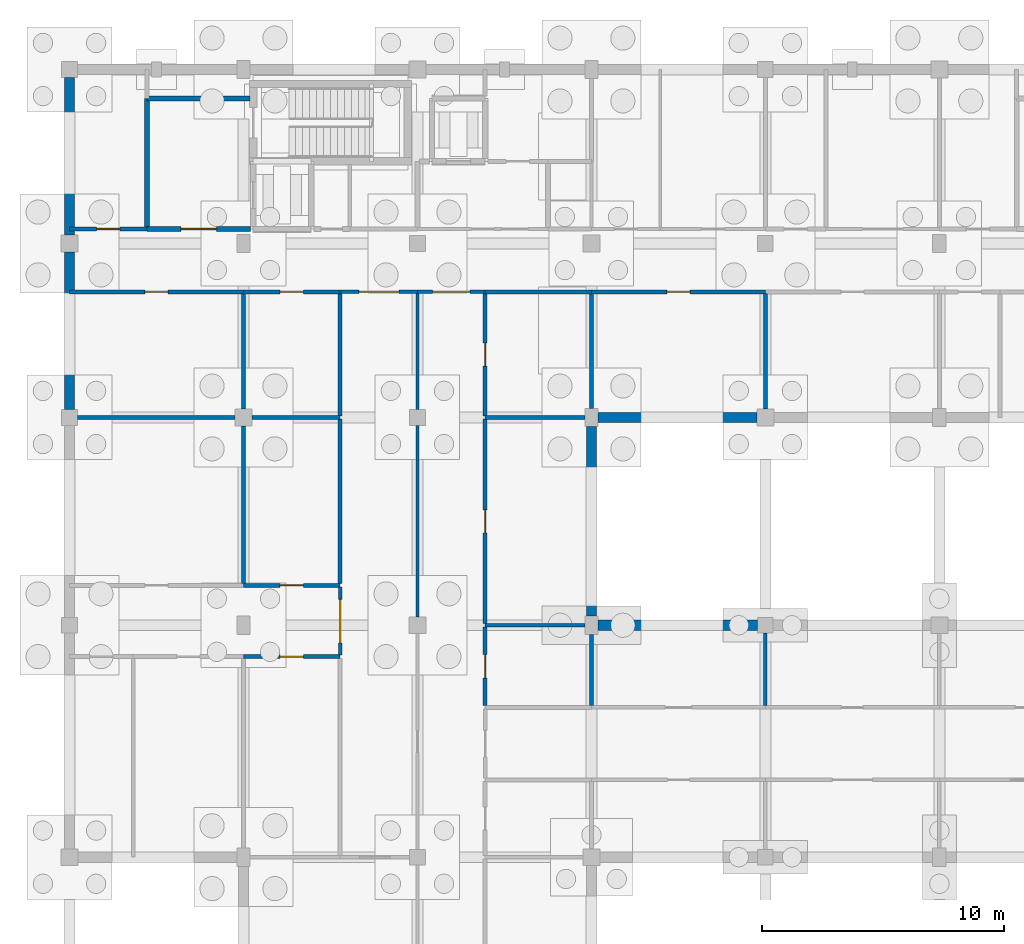
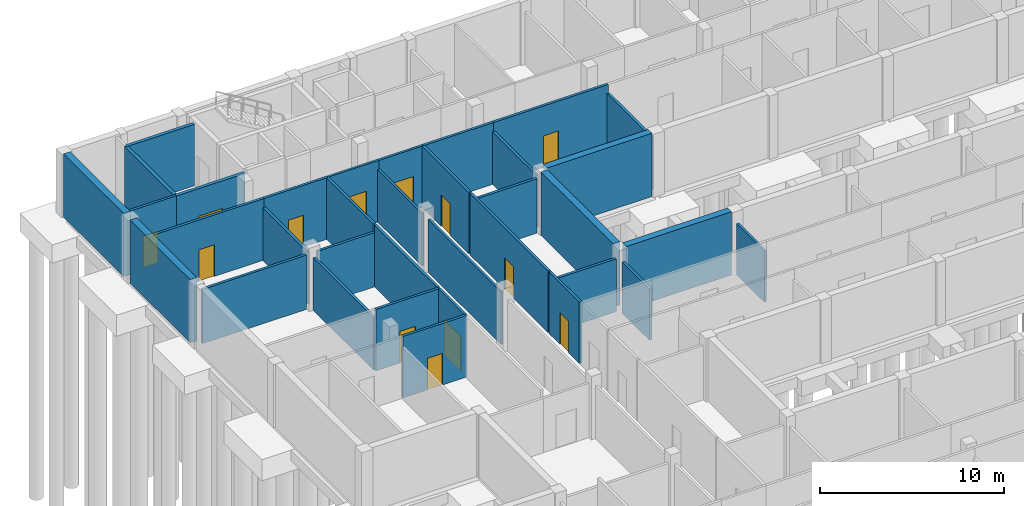
# One storey, part 11 of 17: 35 walls, 13 doors, 13 openings.
"""IFC4 building model written with IfcOpenShell, lengths in metres."""

import ifcopenshell
import ifcopenshell.guid

model = None  # the IFC model being written
_history = None  # IfcOwnerHistory: only IFC2X3 demands one
_inside = {}  # id of a spatial element -> (the spatial element, [elements in it])
_under = {}  # id of a project, library or spatial element -> (it, [spatial elements below it])
_declared = {}  # id of a project -> (the project, [libraries it declares])
_typed = {}  # id of a type object -> (the type object, [elements of that type])
_made_of = {}  # id of a material, layer set ... -> (it, [elements and type objects made of it])


def new_model(schema):
    """Start an empty IFC model of exactly this schema.

    Asked for "IFC4X3", IfcOpenShell would pick the latest addendum, in which some entities
    have other attributes; the version numbers below select the first issue.
    IFC2X3 requires an IfcOwnerHistory on every rooted entity: one is made here for all.
    """
    global model, _history
    if schema == "IFC4X3":
        model = ifcopenshell.file(schema_version=(4, 3, 0, 0))
    else:
        model = ifcopenshell.file(schema=schema)
    _inside.clear()
    _under.clear()
    _declared.clear()
    _typed.clear()
    _made_of.clear()
    _history = None
    if model.schema == "IFC2X3":
        org = make("IfcOrganization", Name="unknown")
        user = make(
            "IfcPersonAndOrganization",
            ThePerson=make("IfcPerson", FamilyName="unknown"),
            TheOrganization=org,
        )
        app = make(
            "IfcApplication",
            ApplicationDeveloper=org,
            Version="unknown",
            ApplicationFullName="unknown",
            ApplicationIdentifier="unknown",
        )
        _history = make(
            "IfcOwnerHistory",
            OwningUser=user,
            OwningApplication=app,
            ChangeAction="ADDED",
            CreationDate=0,
        )
    return model


def make(cls, **values):
    """One entity of the class cls with the attributes given. An attribute that is None is left unset."""
    return model.create_entity(
        cls, **{name: value for name, value in values.items() if value is not None}
    )


def rooted(cls, **values):
    """An entity with a GlobalId (a new one), such as an element, a storey or a relation."""
    return make(cls, GlobalId=ifcopenshell.guid.new(), OwnerHistory=_history, **values)


def si_unit(unit_type, name, prefix=None):
    """IfcSIUnit, for example si_unit("LENGTHUNIT", "METRE", prefix="MILLI")."""
    return make("IfcSIUnit", UnitType=unit_type, Prefix=prefix, Name=name)


def assignment(units):
    """IfcUnitAssignment: the units of a project."""
    return None if units is None else make("IfcUnitAssignment", Units=units)


def point(xyz):
    """IfcCartesianPoint."""
    return None if xyz is None else make("IfcCartesianPoint", Coordinates=xyz)


def direction(xyz):
    """IfcDirection."""
    return None if xyz is None else make("IfcDirection", DirectionRatios=xyz)


def frame(location, z_axis=None, x_axis=None):
    """IfcAxis2Placement3D, a coordinate frame: its origin and axes. An axis left out is left unset."""
    return make(
        "IfcAxis2Placement3D",
        Location=point(location),
        Axis=direction(z_axis),
        RefDirection=direction(x_axis),
    )


def frame_2d(location, x_axis=None):
    """IfcAxis2Placement2D, a coordinate frame in the plane: its origin and x axis."""
    return make(
        "IfcAxis2Placement2D", Location=point(location), RefDirection=direction(x_axis)
    )


def origin():
    """The frame at (0, 0, 0) with its axes left unset."""
    return frame((0.0, 0.0, 0.0))


def place(relative_to, where):
    """IfcLocalPlacement: puts the frame where relative to a parent placement (None: the world)."""
    return make(
        "IfcLocalPlacement", PlacementRelTo=relative_to, RelativePlacement=where
    )


def context(
    kind, dimensions, precision=None, world=None, true_north=None, identifier=None
):
    """IfcGeometricRepresentationContext, for example the 3D "Model" context."""
    return make(
        "IfcGeometricRepresentationContext",
        ContextIdentifier=identifier,
        ContextType=kind,
        CoordinateSpaceDimension=dimensions,
        Precision=precision,
        WorldCoordinateSystem=world,
        TrueNorth=true_north,
    )


def subcontext(parent, identifier, kind, view, scale=None):
    """IfcGeometricRepresentationSubContext, for example "Body" below "Model"."""
    return make(
        "IfcGeometricRepresentationSubContext",
        ContextIdentifier=identifier,
        ContextType=kind,
        ParentContext=parent,
        TargetScale=scale,
        TargetView=view,
    )


def project(units=None, contexts=None):
    """IfcProject with its units and contexts."""
    return rooted(
        "IfcProject",
        Name="project",
        RepresentationContexts=contexts,
        UnitsInContext=assignment(units),
    )


def spatial(cls, under=None, at=None, **own):
    """A site, building, storey or space (cls), placed at a placement, below another one or the project."""
    s = rooted(cls, ObjectPlacement=at, **own)
    if under is not None:
        _under.setdefault(under.id(), (under, []))[1].append(s)
    return s


def profile(cls, at=None, kind="AREA", **sizes):
    """A parametric profile (cls). Its sizes go by their IFC names, for example OverallWidth=200.0."""
    return make(cls, ProfileType=kind, Position=at, **sizes)


def rectangle(**sizes):
    """IfcRectangleProfileDef."""
    return profile("IfcRectangleProfileDef", **sizes)


def extrude(swept, where, along, depth):
    """IfcExtrudedAreaSolid: the profile swept, set in the frame where, extruded along a direction by depth."""
    return make(
        "IfcExtrudedAreaSolid",
        SweptArea=swept,
        Position=where,
        ExtrudedDirection=direction(along),
        Depth=depth,
    )


def shape(context_of_items, identifier, shape_type, items):
    """IfcShapeRepresentation: the items that make up one representation, for example the "Body"."""
    return make(
        "IfcShapeRepresentation",
        ContextOfItems=context_of_items,
        RepresentationIdentifier=identifier,
        RepresentationType=shape_type,
        Items=items,
    )


def material(Name=None, Category=None):
    """IfcMaterial."""
    return make("IfcMaterial", Name=Name, Category=Category)


def layer(
    of_material, thickness, ventilated=None, Name=None, Category=None, Priority=None
):
    """IfcMaterialLayer: one layer of a wall or slab, of a material (None: an air gap)."""
    return make(
        "IfcMaterialLayer",
        Material=of_material,
        LayerThickness=thickness,
        IsVentilated=ventilated,
        Name=Name,
        Category=Category,
        Priority=Priority,
    )


def layer_set(layers, Name=None):
    """IfcMaterialLayerSet."""
    return make("IfcMaterialLayerSet", MaterialLayers=layers, LayerSetName=Name)


def made_of(thing, what):
    """Note that an element or type object is made of a material, layer set ...; save() writes the relation."""
    if what is not None:
        _made_of.setdefault(what.id(), (what, []))[1].append(thing)
    return thing


def type_object(cls, material=None, **own):
    """A type object (cls), such as IfcWallType, which elements share."""
    return made_of(rooted(cls, **own), material)


def element(
    cls,
    number,
    at=None,
    inside=None,
    cuts=None,
    type_object=None,
    material=None,
    context=None,
    identifier="Body",
    shape_type=None,
    held_by="IfcProductDefinitionShape",
    body=None,
    shapes=None,
    **own,
):
    """One element of the class cls, such as IfcWall. Its Tag is "e" and its number.

    at: its placement. inside: the storey or other place that contains it. cuts: it is an
    opening in that element (IfcRelVoidsElement). A single representation is given by context,
    identifier, shape_type and body (its items); several are given by shapes. held_by: the class
    of the entity that holds the representations. save() writes the other relations.
    """
    e = rooted(cls, Tag="e%d" % number, ObjectPlacement=at, **own)
    if body is not None:
        shapes = [shape(context, identifier, shape_type, body)]
    if shapes is not None:
        e.Representation = make(held_by, Representations=shapes)
    if inside is not None:
        _inside.setdefault(inside.id(), (inside, []))[1].append(e)
    if cuts is not None:
        rooted(
            "IfcRelVoidsElement", RelatingBuildingElement=cuts, RelatedOpeningElement=e
        )
    if type_object is not None:
        _typed.setdefault(type_object.id(), (type_object, []))[1].append(e)
    return made_of(e, material)


def fill(opening, filler):
    """IfcRelFillsElement: the door or window that sits in an opening."""
    return rooted(
        "IfcRelFillsElement",
        RelatingOpeningElement=opening,
        RelatedBuildingElement=filler,
    )


def aggregate(whole, parts):
    """IfcRelAggregates: a whole, such as a stair, and the parts it consists of."""
    return rooted("IfcRelAggregates", RelatingObject=whole, RelatedObjects=parts)


def save(model, path):
    """Write the relations noted so far, then the file.

    IfcRelAggregates (storeys below a building ...), IfcRelContainedInSpatialStructure (elements
    in a storey), IfcRelDefinesByType, IfcRelAssociatesMaterial and IfcRelDeclares: one each for
    every whole, place, type object, material and project.
    """
    for whole, parts in _under.values():
        aggregate(whole, parts)
    for where, things in _inside.values():
        rooted(
            "IfcRelContainedInSpatialStructure",
            RelatedElements=things,
            RelatingStructure=where,
        )
    for kind, things in _typed.values():
        rooted("IfcRelDefinesByType", RelatedObjects=things, RelatingType=kind)
    for what, things in _made_of.values():
        rooted("IfcRelAssociatesMaterial", RelatedObjects=things, RelatingMaterial=what)
    for by, libraries in _declared.values():
        rooted("IfcRelDeclares", RelatingContext=by, RelatedDefinitions=libraries)
    model.write(path)


model = new_model("IFC4")

# Units and contexts
model_context = context("Model", 3, precision=1e-05, world=origin(), true_north=direction((0.0, 1.0)))
body_context = subcontext(model_context, "Body", "Model", "MODEL_VIEW")
ifc_project = project(units=[si_unit("LENGTHUNIT", "METRE"), si_unit("AREAUNIT", "SQUARE_METRE"), si_unit("VOLUMEUNIT", "CUBIC_METRE"), si_unit("PLANEANGLEUNIT", "RADIAN"), si_unit("MASSUNIT", "GRAM", prefix="KILO")], contexts=[model_context])

# Site, building, storey
site_placement = place(None, origin())
site = spatial("IfcSite", under=ifc_project, at=site_placement, CompositionType="ELEMENT")
building_placement = place(site_placement, origin())
building = spatial("IfcBuilding", under=site, at=building_placement, Name="Hawrajan Terrace Health Centre", CompositionType="ELEMENT")
storey_placement = place(building_placement, frame((0.0, 0.0, -4.5)))
storey = spatial("IfcBuildingStorey", under=building, at=storey_placement, Name="B1", CompositionType="ELEMENT", Elevation=-4.5)

# Wall, opening, door
ifc_material_1 = material(Name="Gypsum board on acoustic stud framing")
ifc_layer_1 = layer(ifc_material_1, 0.139892578125)
ifc_layer_set_1 = layer_set([ifc_layer_1], Name="Gypsum board on acoustic stud framing")
wall_type_1 = type_object("IfcWallType", Name="ClinicalAcousticWall_140", PredefinedType="PARTITIONING", material=ifc_layer_set_1)
wall_1_placement = place(storey_placement, frame((15.800048828125, 35.570068359375, 0.0), z_axis=(0.0, 0.0, 1.0), x_axis=(0.0, 1.0, 0.0)))
wall_1 = element("IfcWall", 1, at=wall_1_placement, inside=storey, type_object=wall_type_1, Name="Interior wall IW-B1-0032", PredefinedType="PARTITIONING", context=body_context, shape_type="SweptSolid", body=[
    extrude(rectangle(XDim=2.809814453125, YDim=0.139892578125, at=frame_2d((1.40478515625, 0.0))), origin(), (0.0, 0.0, 1.0), 4.080078125),
])
opening_1_placement = place(wall_1_placement, frame((0.5048828125, 0.0, 0.0)))
opening_1 = element("IfcOpeningElement", 2, at=opening_1_placement, cuts=wall_1, Name="Opening D-B1-014", PredefinedType="OPENING", context=body_context, shape_type="SweptSolid", body=[
    extrude(rectangle(XDim=1.800048828125, YDim=2.300048828125, at=frame_2d((0.89990234375, 1.14990234375))), frame((0.0, 0.079833984375, 0.0), z_axis=(0.0, -1.0, 0.0), x_axis=(1.0, 0.0, 0.0)), (0.0, 0.0, 1.0), 0.159912109375),
])
ifc_material_2 = material(Name="Hardwood acoustic clinical door leaf and frame", Category="wood")
door_type_1 = type_object("IfcDoorType", Name="EducationHallDoor_1800x2300", OperationType="DOUBLE_DOOR_SINGLE_SWING", PredefinedType="DOOR", material=ifc_material_2)
door_1_placement = place(opening_1_placement, origin())
door_1 = element("IfcDoor", 3, at=door_1_placement, inside=storey, type_object=door_type_1, Name="Interior door D-B1-014", OperationType="DOUBLE_DOOR_SINGLE_SWING", OverallHeight=2.300048828125, OverallWidth=1.800048828125, PredefinedType="DOOR", context=body_context, shape_type="SweptSolid", body=[
    extrude(rectangle(XDim=1.800048828125, YDim=2.300048828125, at=frame_2d((0.89990234375, 1.14990234375))), frame((0.0, 0.02490234375, 0.0), z_axis=(0.0, -1.0, 0.0), x_axis=(1.0, 0.0, 0.0)), (0.0, 0.0, 1.0), 0.050048828125),
])
fill(opening_1, door_1)

wall_2_placement = place(storey_placement, frame((15.800048828125, 50.60009765625, 0.0), z_axis=(0.0, 0.0, 1.0), x_axis=(1.0, 0.0, 0.0)))
wall_2 = element("IfcWall", 4, at=wall_2_placement, inside=storey, type_object=wall_type_1, Name="Interior wall IW-B1-0035", PredefinedType="PARTITIONING", context=body_context, shape_type="SweptSolid", body=[
    extrude(rectangle(XDim=3.199951171875, YDim=0.139892578125, at=frame_2d((1.60009765625, 0.0))), origin(), (0.0, 0.0, 1.0), 4.080078125),
])
opening_2_placement = place(wall_2_placement, frame((0.77001953125, 0.0, 0.0)))
opening_2 = element("IfcOpeningElement", 5, at=opening_2_placement, cuts=wall_2, Name="Opening D-B1-011", PredefinedType="OPENING", context=body_context, shape_type="SweptSolid", body=[
    extrude(rectangle(XDim=1.659912109375, YDim=2.300048828125, at=frame_2d((0.830078125, 1.14990234375))), frame((0.0, 0.079833984375, 0.0), z_axis=(0.0, -1.0, 0.0), x_axis=(1.0, 0.0, 0.0)), (0.0, 0.0, 1.0), 0.159912109375),
])
door_type_2 = type_object("IfcDoorType", Name="RehabGymDoor_1660x2300", OperationType="DOUBLE_DOOR_SINGLE_SWING", PredefinedType="DOOR", material=ifc_material_2)
door_2_placement = place(opening_2_placement, origin())
door_2 = element("IfcDoor", 6, at=door_2_placement, inside=storey, type_object=door_type_2, Name="Interior door D-B1-011", OperationType="DOUBLE_DOOR_SINGLE_SWING", OverallHeight=2.300048828125, OverallWidth=1.659912109375, PredefinedType="DOOR", context=body_context, shape_type="SweptSolid", body=[
    extrude(rectangle(XDim=1.659912109375, YDim=2.300048828125, at=frame_2d((0.830078125, 1.14990234375))), frame((0.0, 0.02490234375, 0.0), z_axis=(0.0, -1.0, 0.0), x_axis=(1.0, 0.0, 0.0)), (0.0, 0.0, 1.0), 0.050048828125),
])
fill(opening_2, door_2)

# Walls
wall_3_placement = place(storey_placement, frame((19.0, 37.14990234375, 0.0), z_axis=(0.0, 0.0, 1.0), x_axis=(0.0, 1.0, 0.0)))
element("IfcWall", 7, at=wall_3_placement, inside=storey, type_object=wall_type_1, Name="Interior wall IW-B1-0041", PredefinedType="PARTITIONING", context=body_context, shape_type="SweptSolid", body=[
    extrude(rectangle(XDim=7.925048828125, YDim=0.139892578125, at=frame_2d((3.96240234375, 0.0))), origin(), (0.0, 0.0, 1.0), 3.5),
])
wall_4_placement = place(storey_placement, frame((19.0, 45.72509765625, 0.0), z_axis=(0.0, 0.0, 1.0), x_axis=(0.0, 1.0, 0.0)))
element("IfcWall", 8, at=wall_4_placement, inside=storey, type_object=wall_type_1, Name="Interior wall IW-B1-0042", PredefinedType="PARTITIONING", context=body_context, shape_type="SweptSolid", body=[
    extrude(rectangle(XDim=4.804931640625, YDim=0.139892578125, at=frame_2d((2.40234375, 0.0))), origin(), (0.0, 0.0, 1.0), 3.5),
])

# Wall, opening, door
wall_5_placement = place(storey_placement, frame((19.0, 50.60009765625, 0.0), z_axis=(0.0, 0.0, 1.0), x_axis=(1.0, 0.0, 0.0)))
wall_5 = element("IfcWall", 9, at=wall_5_placement, inside=storey, type_object=wall_type_1, Name="Interior wall IW-B1-0043", PredefinedType="PARTITIONING", context=body_context, shape_type="SweptSolid", body=[
    extrude(rectangle(XDim=2.800048828125, YDim=0.139892578125, at=frame_2d((1.39990234375, 0.0))), origin(), (0.0, 0.0, 1.0), 4.080078125),
])
opening_3_placement = place(wall_5_placement, frame((0.6298828125, 0.0, 0.0)))
opening_3 = element("IfcOpeningElement", 10, at=opening_3_placement, cuts=wall_5, Name="Opening D-B1-012", PredefinedType="OPENING", context=body_context, shape_type="SweptSolid", body=[
    extrude(rectangle(XDim=1.5400390625, YDim=2.25, at=frame_2d((0.77001953125, 1.125))), frame((0.0, 0.079833984375, 0.0), z_axis=(0.0, -1.0, 0.0), x_axis=(1.0, 0.0, 0.0)), (0.0, 0.0, 1.0), 0.159912109375),
])
door_type_3 = type_object("IfcDoorType", Name="RecoveryBayDoor_1540x2250", OperationType="DOUBLE_DOOR_SINGLE_SWING", PredefinedType="DOOR", material=ifc_material_2)
door_3_placement = place(opening_3_placement, origin())
door_3 = element("IfcDoor", 11, at=door_3_placement, inside=storey, type_object=door_type_3, Name="Interior door D-B1-012", OperationType="DOUBLE_DOOR_SINGLE_SWING", OverallHeight=2.25, OverallWidth=1.5400390625, PredefinedType="DOOR", context=body_context, shape_type="SweptSolid", body=[
    extrude(rectangle(XDim=1.5400390625, YDim=2.25, at=frame_2d((0.77001953125, 1.125))), frame((0.0, 0.02490234375, 0.0), z_axis=(0.0, -1.0, 0.0), x_axis=(1.0, 0.0, 0.0)), (0.0, 0.0, 1.0), 0.050048828125),
])
fill(opening_3, door_3)

# Walls
wall_6_placement = place(storey_placement, frame((33.39990234375, 33.469970703125, 0.0), z_axis=(0.0, 0.0, 1.0), x_axis=(0.0, 1.0, 0.0)))
element("IfcWall", 12, at=wall_6_placement, inside=storey, type_object=wall_type_1, Name="Interior wall IW-B1-0085", PredefinedType="PARTITIONING", context=body_context, shape_type="SweptSolid", body=[
    extrude(rectangle(XDim=3.005126953125, YDim=0.139892578125, at=frame_2d((1.50244140625, 0.0))), origin(), (0.0, 0.0, 1.0), 3.39990234375),
])
ifc_layer_2 = layer(ifc_material_1, 0.159912109375)
ifc_layer_set_2 = layer_set([ifc_layer_2], Name="Gypsum board on acoustic stud framing")
wall_type_2 = type_object("IfcWallType", Name="CorridorFireWall_160", PredefinedType="PARTITIONING", material=ifc_layer_set_2)
wall_7_placement = place(storey_placement, frame((4.925048828125, 45.39990234375, 0.0), z_axis=(0.0, 0.0, 1.0), x_axis=(1.0, 0.0, 0.0)))
element("IfcWall", 13, at=wall_7_placement, inside=storey, type_object=wall_type_2, Name="Interior wall IW-B1-0005", PredefinedType="PARTITIONING", context=body_context, shape_type="SweptSolid", body=[
    extrude(rectangle(XDim=6.52490234375, YDim=0.159912109375, at=frame_2d((3.262451171875, 0.0))), origin(), (0.0, 0.0, 1.0), 3.60009765625),
])

# Wall, opening, door
wall_8_placement = place(storey_placement, frame((4.60009765625, 50.60009765625, 0.0), z_axis=(0.0, 0.0, 1.0), x_axis=(1.0, 0.0, 0.0)))
wall_8 = element("IfcWall", 14, at=wall_8_placement, inside=storey, type_object=wall_type_2, Name="Interior wall IW-B1-0006", PredefinedType="PARTITIONING", context=body_context, shape_type="SweptSolid", body=[
    extrude(rectangle(XDim=7.199951171875, YDim=0.159912109375, at=frame_2d((3.60009765625, 0.0))), origin(), (0.0, 0.0, 1.0), 4.080078125),
])
opening_4_placement = place(wall_8_placement, frame((3.1201171875, 0.0, 0.0)))
opening_4 = element("IfcOpeningElement", 15, at=opening_4_placement, cuts=wall_8, Name="Opening D-B1-043", PredefinedType="OPENING", context=body_context, shape_type="SweptSolid", body=[
    extrude(rectangle(XDim=0.9599609375, YDim=2.10009765625, at=frame_2d((0.47998046875, 1.050048828125))), frame((0.0, 0.08984375, 0.0), z_axis=(0.0, -1.0, 0.0), x_axis=(1.0, 0.0, 0.0)), (0.0, 0.0, 1.0), 0.179931640625),
])
ifc_material_3 = material(Name="Timber-veneered acoustic fire-resisting door assembly", Category="wood")
door_type_4 = type_object("IfcDoorType", Name="ClinicalFireDoor_960x2100", OperationType="NOTDEFINED", PredefinedType="DOOR", material=ifc_material_3)
door_4_placement = place(opening_4_placement, origin())
door_4 = element("IfcDoor", 16, at=door_4_placement, inside=storey, type_object=door_type_4, Name="Interior door D-B1-043", OperationType="SINGLE_SWING_LEFT", OverallHeight=2.10009765625, OverallWidth=0.9599609375, PredefinedType="DOOR", context=body_context, shape_type="SweptSolid", body=[
    extrude(rectangle(XDim=0.9599609375, YDim=2.10009765625, at=frame_2d((0.47998046875, 1.050048828125))), frame((0.0, 0.02490234375, 0.0), z_axis=(0.0, -1.0, 0.0), x_axis=(1.0, 0.0, 0.0)), (0.0, 0.0, 1.0), 0.050048828125),
])
fill(opening_4, door_4)

wall_9_placement = place(storey_placement, frame((4.60009765625, 53.199951171875, 0.0), z_axis=(0.0, 0.0, 1.0), x_axis=(1.0, 0.0, 0.0)))
wall_9 = element("IfcWall", 17, at=wall_9_placement, inside=storey, type_object=wall_type_2, Name="Interior wall IW-B1-0007", PredefinedType="PARTITIONING", context=body_context, shape_type="SweptSolid", body=[
    extrude(rectangle(XDim=3.199951171875, YDim=0.159912109375, at=frame_2d((1.60009765625, 0.0))), origin(), (0.0, 0.0, 1.0), 4.080078125),
])
opening_5_placement = place(wall_9_placement, frame((1.1201171875, 0.0, 0.0)))
opening_5 = element("IfcOpeningElement", 18, at=opening_5_placement, cuts=wall_9, Name="Opening D-B1-044", PredefinedType="OPENING", context=body_context, shape_type="SweptSolid", body=[
    extrude(rectangle(XDim=0.9599609375, YDim=2.10009765625, at=frame_2d((0.47998046875, 1.050048828125))), frame((0.0, 0.08984375, 0.0), z_axis=(0.0, -1.0, 0.0), x_axis=(1.0, 0.0, 0.0)), (0.0, 0.0, 1.0), 0.179931640625),
])
door_5_placement = place(opening_5_placement, origin())
door_5 = element("IfcDoor", 19, at=door_5_placement, inside=storey, type_object=door_type_4, Name="Interior door D-B1-044", OperationType="SINGLE_SWING_RIGHT", OverallHeight=2.10009765625, OverallWidth=0.9599609375, PredefinedType="DOOR", context=body_context, shape_type="SweptSolid", body=[
    extrude(rectangle(XDim=0.9599609375, YDim=2.10009765625, at=frame_2d((0.47998046875, 1.050048828125))), frame((0.0, 0.02490234375, 0.0), z_axis=(0.0, -1.0, 0.0), x_axis=(1.0, 0.0, 0.0)), (0.0, 0.0, 1.0), 0.050048828125),
])
fill(opening_5, door_5)

wall_10_placement = place(storey_placement, frame((11.800048828125, 35.5, 0.0), z_axis=(0.0, 0.0, 1.0), x_axis=(1.0, 0.0, 0.0)))
wall_10 = element("IfcWall", 20, at=wall_10_placement, inside=storey, type_object=wall_type_2, Name="Interior wall IW-B1-0019", PredefinedType="PARTITIONING", context=body_context, shape_type="SweptSolid", body=[
    extrude(rectangle(XDim=4.0, YDim=0.159912109375, at=frame_2d((2.0, 0.0))), origin(), (0.0, 0.0, 1.0), 4.080078125),
])
opening_6_placement = place(wall_10_placement, frame((1.52001953125, 0.0, 0.0)))
opening_6 = element("IfcOpeningElement", 21, at=opening_6_placement, cuts=wall_10, Name="Opening D-B1-045", PredefinedType="OPENING", context=body_context, shape_type="SweptSolid", body=[
    extrude(rectangle(XDim=0.9599609375, YDim=2.10009765625, at=frame_2d((0.47998046875, 1.050048828125))), frame((0.0, 0.08984375, 0.0), z_axis=(0.0, -1.0, 0.0), x_axis=(1.0, 0.0, 0.0)), (0.0, 0.0, 1.0), 0.179931640625),
])
door_6_placement = place(opening_6_placement, origin())
door_6 = element("IfcDoor", 22, at=door_6_placement, inside=storey, type_object=door_type_4, Name="Interior door D-B1-045", OperationType="SINGLE_SWING_LEFT", OverallHeight=2.10009765625, OverallWidth=0.9599609375, PredefinedType="DOOR", context=body_context, shape_type="SweptSolid", body=[
    extrude(rectangle(XDim=0.9599609375, YDim=2.10009765625, at=frame_2d((0.47998046875, 1.050048828125))), frame((0.0, 0.02490234375, 0.0), z_axis=(0.0, -1.0, 0.0), x_axis=(1.0, 0.0, 0.0)), (0.0, 0.0, 1.0), 0.050048828125),
])
fill(opening_6, door_6)

# Wall
wall_11_placement = place(storey_placement, frame((11.800048828125, 38.52001953125, 0.0), z_axis=(0.0, 0.0, 1.0), x_axis=(0.0, 1.0, 0.0)))
element("IfcWall", 23, at=wall_11_placement, inside=storey, type_object=wall_type_2, Name="Interior wall IW-B1-0020", PredefinedType="PARTITIONING", context=body_context, shape_type="SweptSolid", body=[
    extrude(rectangle(XDim=6.530029296875, YDim=0.159912109375, at=frame_2d((3.26513671875, 0.0))), origin(), (0.0, 0.0, 1.0), 3.5),
])

# Wall, opening, door
wall_12_placement = place(storey_placement, frame((11.800048828125, 38.449951171875, 0.0), z_axis=(0.0, 0.0, 1.0), x_axis=(1.0, 0.0, 0.0)))
wall_12 = element("IfcWall", 24, at=wall_12_placement, inside=storey, type_object=wall_type_2, Name="Interior wall IW-B1-0021", PredefinedType="PARTITIONING", context=body_context, shape_type="SweptSolid", body=[
    extrude(rectangle(XDim=4.0, YDim=0.159912109375, at=frame_2d((2.0, 0.0))), origin(), (0.0, 0.0, 1.0), 4.080078125),
])
opening_7_placement = place(wall_12_placement, frame((1.52001953125, 0.0, 0.0)))
opening_7 = element("IfcOpeningElement", 25, at=opening_7_placement, cuts=wall_12, Name="Opening D-B1-046", PredefinedType="OPENING", context=body_context, shape_type="SweptSolid", body=[
    extrude(rectangle(XDim=0.9599609375, YDim=2.10009765625, at=frame_2d((0.47998046875, 1.050048828125))), frame((0.0, 0.08984375, 0.0), z_axis=(0.0, -1.0, 0.0), x_axis=(1.0, 0.0, 0.0)), (0.0, 0.0, 1.0), 0.179931640625),
])
door_7_placement = place(opening_7_placement, origin())
door_7 = element("IfcDoor", 26, at=door_7_placement, inside=storey, type_object=door_type_4, Name="Interior door D-B1-046", OperationType="SINGLE_SWING_RIGHT", OverallHeight=2.10009765625, OverallWidth=0.9599609375, PredefinedType="DOOR", context=body_context, shape_type="SweptSolid", body=[
    extrude(rectangle(XDim=0.9599609375, YDim=2.10009765625, at=frame_2d((0.47998046875, 1.050048828125))), frame((0.0, 0.02490234375, 0.0), z_axis=(0.0, -1.0, 0.0), x_axis=(1.0, 0.0, 0.0)), (0.0, 0.0, 1.0), 0.050048828125),
])
fill(opening_7, door_7)

# Walls
wall_13_placement = place(storey_placement, frame((11.800048828125, 45.75, 0.0), z_axis=(0.0, 0.0, 1.0), x_axis=(0.0, 1.0, 0.0)))
element("IfcWall", 27, at=wall_13_placement, inside=storey, type_object=wall_type_2, Name="Interior wall IW-B1-0022", PredefinedType="PARTITIONING", context=body_context, shape_type="SweptSolid", body=[
    extrude(rectangle(XDim=4.780029296875, YDim=0.159912109375, at=frame_2d((2.39013671875, 0.0))), origin(), (0.0, 0.0, 1.0), 3.5),
])
wall_14_placement = place(storey_placement, frame((12.14990234375, 45.39990234375, 0.0), z_axis=(0.0, 0.0, 1.0), x_axis=(1.0, 0.0, 0.0)))
element("IfcWall", 28, at=wall_14_placement, inside=storey, type_object=wall_type_2, Name="Interior wall IW-B1-0023", PredefinedType="PARTITIONING", context=body_context, shape_type="SweptSolid", body=[
    extrude(rectangle(XDim=3.650146484375, YDim=0.159912109375, at=frame_2d((1.8251953125, 0.0))), origin(), (0.0, 0.0, 1.0), 3.60009765625),
])

# Wall, opening, door
wall_15_placement = place(storey_placement, frame((11.800048828125, 50.60009765625, 0.0), z_axis=(0.0, 0.0, 1.0), x_axis=(1.0, 0.0, 0.0)))
wall_15 = element("IfcWall", 29, at=wall_15_placement, inside=storey, type_object=wall_type_2, Name="Interior wall IW-B1-0024", PredefinedType="PARTITIONING", context=body_context, shape_type="SweptSolid", body=[
    extrude(rectangle(XDim=4.0, YDim=0.159912109375, at=frame_2d((2.0, 0.0))), origin(), (0.0, 0.0, 1.0), 4.080078125),
])
opening_8_placement = place(wall_15_placement, frame((1.52001953125, 0.0, 0.0)))
opening_8 = element("IfcOpeningElement", 30, at=opening_8_placement, cuts=wall_15, Name="Opening D-B1-047", PredefinedType="OPENING", context=body_context, shape_type="SweptSolid", body=[
    extrude(rectangle(XDim=0.9599609375, YDim=2.10009765625, at=frame_2d((0.47998046875, 1.050048828125))), frame((0.0, 0.08984375, 0.0), z_axis=(0.0, -1.0, 0.0), x_axis=(1.0, 0.0, 0.0)), (0.0, 0.0, 1.0), 0.179931640625),
])
door_8_placement = place(opening_8_placement, origin())
door_8 = element("IfcDoor", 31, at=door_8_placement, inside=storey, type_object=door_type_4, Name="Interior door D-B1-047", OperationType="SINGLE_SWING_LEFT", OverallHeight=2.10009765625, OverallWidth=0.9599609375, PredefinedType="DOOR", context=body_context, shape_type="SweptSolid", body=[
    extrude(rectangle(XDim=0.9599609375, YDim=2.10009765625, at=frame_2d((0.47998046875, 1.050048828125))), frame((0.0, 0.02490234375, 0.0), z_axis=(0.0, -1.0, 0.0), x_axis=(1.0, 0.0, 0.0)), (0.0, 0.0, 1.0), 0.050048828125),
])
fill(opening_8, door_8)

# Walls
wall_16_placement = place(storey_placement, frame((15.800048828125, 38.52001953125, 0.0), z_axis=(0.0, 0.0, 1.0), x_axis=(0.0, 1.0, 0.0)))
element("IfcWall", 32, at=wall_16_placement, inside=storey, type_object=wall_type_2, Name="Interior wall IW-B1-0033", PredefinedType="PARTITIONING", context=body_context, shape_type="SweptSolid", body=[
    extrude(rectangle(XDim=6.81005859375, YDim=0.159912109375, at=frame_2d((3.405029296875, 0.0))), origin(), (0.0, 0.0, 1.0), 4.080078125),
])
wall_17_placement = place(storey_placement, frame((15.800048828125, 45.469970703125, 0.0), z_axis=(0.0, 0.0, 1.0), x_axis=(0.0, 1.0, 0.0)))
element("IfcWall", 33, at=wall_17_placement, inside=storey, type_object=wall_type_2, Name="Interior wall IW-B1-0034", PredefinedType="PARTITIONING", context=body_context, shape_type="SweptSolid", body=[
    extrude(rectangle(XDim=5.06005859375, YDim=0.159912109375, at=frame_2d((2.530029296875, 0.0))), origin(), (0.0, 0.0, 1.0), 4.080078125),
])

# Wall, opening, door
wall_18_placement = place(storey_placement, frame((21.800048828125, 33.469970703125, 0.0), z_axis=(0.0, 0.0, 1.0), x_axis=(0.0, 1.0, 0.0)))
wall_18 = element("IfcWall", 34, at=wall_18_placement, inside=storey, type_object=wall_type_2, Name="Interior wall IW-B1-0055", PredefinedType="PARTITIONING", context=body_context, shape_type="SweptSolid", body=[
    extrude(rectangle(XDim=3.260009765625, YDim=0.159912109375, at=frame_2d((1.6298828125, 0.0))), origin(), (0.0, 0.0, 1.0), 4.080078125),
])
opening_9_placement = place(wall_18_placement, frame((1.14990234375, 0.0, 0.0)))
opening_9 = element("IfcOpeningElement", 35, at=opening_9_placement, cuts=wall_18, Name="Opening D-B1-050", PredefinedType="OPENING", context=body_context, shape_type="SweptSolid", body=[
    extrude(rectangle(XDim=0.9599609375, YDim=2.10009765625, at=frame_2d((0.47998046875, 1.050048828125))), frame((0.0, 0.08984375, 0.0), z_axis=(0.0, -1.0, 0.0), x_axis=(1.0, 0.0, 0.0)), (0.0, 0.0, 1.0), 0.179931640625),
])
door_9_placement = place(opening_9_placement, origin())
door_9 = element("IfcDoor", 36, at=door_9_placement, inside=storey, type_object=door_type_4, Name="Interior door D-B1-050", OperationType="SINGLE_SWING_RIGHT", OverallHeight=2.10009765625, OverallWidth=0.9599609375, PredefinedType="DOOR", context=body_context, shape_type="SweptSolid", body=[
    extrude(rectangle(XDim=0.9599609375, YDim=2.10009765625, at=frame_2d((0.47998046875, 1.050048828125))), frame((0.0, 0.02490234375, 0.0), z_axis=(0.0, -1.0, 0.0), x_axis=(1.0, 0.0, 0.0)), (0.0, 0.0, 1.0), 0.050048828125),
])
fill(opening_9, door_9)

wall_19_placement = place(storey_placement, frame((21.800048828125, 36.8701171875, 0.0), z_axis=(0.0, 0.0, 1.0), x_axis=(0.0, 1.0, 0.0)))
wall_19 = element("IfcWall", 37, at=wall_19_placement, inside=storey, type_object=wall_type_2, Name="Interior wall IW-B1-0057", PredefinedType="PARTITIONING", context=body_context, shape_type="SweptSolid", body=[
    extrude(rectangle(XDim=8.4599609375, YDim=0.159912109375, at=frame_2d((4.22998046875, 0.0))), origin(), (0.0, 0.0, 1.0), 4.080078125),
])
opening_10_placement = place(wall_19_placement, frame((3.75, 0.0, 0.0)))
opening_10 = element("IfcOpeningElement", 38, at=opening_10_placement, cuts=wall_19, Name="Opening D-B1-051", PredefinedType="OPENING", context=body_context, shape_type="SweptSolid", body=[
    extrude(rectangle(XDim=0.9599609375, YDim=2.10009765625, at=frame_2d((0.47998046875, 1.050048828125))), frame((0.0, 0.08984375, 0.0), z_axis=(0.0, -1.0, 0.0), x_axis=(1.0, 0.0, 0.0)), (0.0, 0.0, 1.0), 0.179931640625),
])
door_10_placement = place(opening_10_placement, origin())
door_10 = element("IfcDoor", 39, at=door_10_placement, inside=storey, type_object=door_type_4, Name="Interior door D-B1-051", OperationType="SINGLE_SWING_LEFT", OverallHeight=2.10009765625, OverallWidth=0.9599609375, PredefinedType="DOOR", context=body_context, shape_type="SweptSolid", body=[
    extrude(rectangle(XDim=0.9599609375, YDim=2.10009765625, at=frame_2d((0.47998046875, 1.050048828125))), frame((0.0, 0.02490234375, 0.0), z_axis=(0.0, -1.0, 0.0), x_axis=(1.0, 0.0, 0.0)), (0.0, 0.0, 1.0), 0.050048828125),
])
fill(opening_10, door_10)

# Wall
wall_20_placement = place(storey_placement, frame((21.800048828125, 36.800048828125, 0.0), z_axis=(0.0, 0.0, 1.0), x_axis=(1.0, 0.0, 0.0)))
element("IfcWall", 40, at=wall_20_placement, inside=storey, type_object=wall_type_2, Name="Interior wall IW-B1-0058", PredefinedType="PARTITIONING", context=body_context, shape_type="SweptSolid", body=[
    extrude(rectangle(XDim=4.125, YDim=0.159912109375, at=frame_2d((2.0625, 0.0))), origin(), (0.0, 0.0, 1.0), 3.5),
])

# Wall, opening, door
wall_21_placement = place(storey_placement, frame((21.800048828125, 45.469970703125, 0.0), z_axis=(0.0, 0.0, 1.0), x_axis=(0.0, 1.0, 0.0)))
wall_21 = element("IfcWall", 41, at=wall_21_placement, inside=storey, type_object=wall_type_2, Name="Interior wall IW-B1-0059", PredefinedType="PARTITIONING", context=body_context, shape_type="SweptSolid", body=[
    extrude(rectangle(XDim=5.06005859375, YDim=0.159912109375, at=frame_2d((2.530029296875, 0.0))), origin(), (0.0, 0.0, 1.0), 4.080078125),
])
opening_11_placement = place(wall_21_placement, frame((2.050048828125, 0.0, 0.0)))
opening_11 = element("IfcOpeningElement", 42, at=opening_11_placement, cuts=wall_21, Name="Opening D-B1-052", PredefinedType="OPENING", context=body_context, shape_type="SweptSolid", body=[
    extrude(rectangle(XDim=0.9599609375, YDim=2.10009765625, at=frame_2d((0.47998046875, 1.050048828125))), frame((0.0, 0.08984375, 0.0), z_axis=(0.0, -1.0, 0.0), x_axis=(1.0, 0.0, 0.0)), (0.0, 0.0, 1.0), 0.179931640625),
])
door_11_placement = place(opening_11_placement, origin())
door_11 = element("IfcDoor", 43, at=door_11_placement, inside=storey, type_object=door_type_4, Name="Interior door D-B1-052", OperationType="SINGLE_SWING_RIGHT", OverallHeight=2.10009765625, OverallWidth=0.9599609375, PredefinedType="DOOR", context=body_context, shape_type="SweptSolid", body=[
    extrude(rectangle(XDim=0.9599609375, YDim=2.10009765625, at=frame_2d((0.47998046875, 1.050048828125))), frame((0.0, 0.02490234375, 0.0), z_axis=(0.0, -1.0, 0.0), x_axis=(1.0, 0.0, 0.0)), (0.0, 0.0, 1.0), 0.050048828125),
])
fill(opening_11, door_11)

# Walls
wall_22_placement = place(storey_placement, frame((21.800048828125, 45.39990234375, 0.0), z_axis=(0.0, 0.0, 1.0), x_axis=(1.0, 0.0, 0.0)))
element("IfcWall", 44, at=wall_22_placement, inside=storey, type_object=wall_type_2, Name="Interior wall IW-B1-0060", PredefinedType="PARTITIONING", context=body_context, shape_type="SweptSolid", body=[
    extrude(rectangle(XDim=4.125, YDim=0.159912109375, at=frame_2d((2.0625, 0.0))), origin(), (0.0, 0.0, 1.0), 3.60009765625),
])
wall_23_placement = place(storey_placement, frame((21.800048828125, 50.60009765625, 0.0), z_axis=(0.0, 0.0, 1.0), x_axis=(1.0, 0.0, 0.0)))
element("IfcWall", 45, at=wall_23_placement, inside=storey, type_object=wall_type_2, Name="Interior wall IW-B1-0061", PredefinedType="PARTITIONING", context=body_context, shape_type="SweptSolid", body=[
    extrude(rectangle(XDim=4.39990234375, YDim=0.159912109375, at=frame_2d((2.199951171875, 0.0))), origin(), (0.0, 0.0, 1.0), 4.080078125),
])
wall_24_placement = place(storey_placement, frame((26.199951171875, 33.469970703125, 0.0), z_axis=(0.0, 0.0, 1.0), x_axis=(0.0, 1.0, 0.0)))
element("IfcWall", 46, at=wall_24_placement, inside=storey, type_object=wall_type_2, Name="Interior wall IW-B1-0069", PredefinedType="PARTITIONING", context=body_context, shape_type="SweptSolid", body=[
    extrude(rectangle(XDim=2.955078125, YDim=0.159912109375, at=frame_2d((1.4775390625, 0.0))), origin(), (0.0, 0.0, 1.0), 3.39990234375),
])
wall_25_placement = place(storey_placement, frame((26.199951171875, 45.77490234375, 0.0), z_axis=(0.0, 0.0, 1.0), x_axis=(0.0, 1.0, 0.0)))
element("IfcWall", 47, at=wall_25_placement, inside=storey, type_object=wall_type_2, Name="Interior wall IW-B1-0071", PredefinedType="PARTITIONING", context=body_context, shape_type="SweptSolid", body=[
    extrude(rectangle(XDim=4.755126953125, YDim=0.159912109375, at=frame_2d((2.37744140625, 0.0))), origin(), (0.0, 0.0, 1.0), 3.5),
])

# Wall, opening, door
wall_26_placement = place(storey_placement, frame((26.199951171875, 50.60009765625, 0.0), z_axis=(0.0, 0.0, 1.0), x_axis=(1.0, 0.0, 0.0)))
wall_26 = element("IfcWall", 48, at=wall_26_placement, inside=storey, type_object=wall_type_2, Name="Interior wall IW-B1-0072", PredefinedType="PARTITIONING", context=body_context, shape_type="SweptSolid", body=[
    extrude(rectangle(XDim=7.199951171875, YDim=0.159912109375, at=frame_2d((3.60009765625, 0.0))), origin(), (0.0, 0.0, 1.0), 4.080078125),
])
opening_12_placement = place(wall_26_placement, frame((3.1201171875, 0.0, 0.0)))
opening_12 = element("IfcOpeningElement", 49, at=opening_12_placement, cuts=wall_26, Name="Opening D-B1-054", PredefinedType="OPENING", context=body_context, shape_type="SweptSolid", body=[
    extrude(rectangle(XDim=0.9599609375, YDim=2.10009765625, at=frame_2d((0.47998046875, 1.050048828125))), frame((0.0, 0.08984375, 0.0), z_axis=(0.0, -1.0, 0.0), x_axis=(1.0, 0.0, 0.0)), (0.0, 0.0, 1.0), 0.179931640625),
])
door_12_placement = place(opening_12_placement, origin())
door_12 = element("IfcDoor", 50, at=door_12_placement, inside=storey, type_object=door_type_4, Name="Interior door D-B1-054", OperationType="SINGLE_SWING_RIGHT", OverallHeight=2.10009765625, OverallWidth=0.9599609375, PredefinedType="DOOR", context=body_context, shape_type="SweptSolid", body=[
    extrude(rectangle(XDim=0.9599609375, YDim=2.10009765625, at=frame_2d((0.47998046875, 1.050048828125))), frame((0.0, 0.02490234375, 0.0), z_axis=(0.0, -1.0, 0.0), x_axis=(1.0, 0.0, 0.0)), (0.0, 0.0, 1.0), 0.050048828125),
])
fill(opening_12, door_12)

# Walls
wall_27_placement = place(storey_placement, frame((33.39990234375, 45.75, 0.0), z_axis=(0.0, 0.0, 1.0), x_axis=(0.0, 1.0, 0.0)))
element("IfcWall", 51, at=wall_27_placement, inside=storey, type_object=wall_type_2, Name="Interior wall IW-B1-0087", PredefinedType="PARTITIONING", context=body_context, shape_type="SweptSolid", body=[
    extrude(rectangle(XDim=4.780029296875, YDim=0.159912109375, at=frame_2d((2.39013671875, 0.0))), origin(), (0.0, 0.0, 1.0), 3.5),
])
ifc_material_4 = material(Name="Cross-laminated timber CLT C24", Category="wood")
ifc_layer_3 = layer(ifc_material_4, 0.199951171875)
ifc_layer_set_3 = layer_set([ifc_layer_3], Name="Cross-laminated timber CLT C24")
wall_type_3 = type_object("IfcWallType", Name="FireCompartmentWall_200", PredefinedType="PARTITIONING", material=ifc_layer_set_3)
wall_28_placement = place(storey_placement, frame((7.800048828125, 53.27001953125, 0.0), z_axis=(0.0, 0.0, 1.0), x_axis=(0.0, 1.0, 0.0)))
element("IfcWall", 52, at=wall_28_placement, inside=storey, type_object=wall_type_3, Name="Interior wall IW-B1-0012", PredefinedType="PARTITIONING", context=body_context, shape_type="SweptSolid", body=[
    extrude(rectangle(XDim=5.330078125, YDim=0.199951171875, at=frame_2d((2.6650390625, 0.0))), origin(), (0.0, 0.0, 1.0), 4.080078125),
])

# Wall, opening, door
wall_29_placement = place(storey_placement, frame((7.800048828125, 53.199951171875, 0.0), z_axis=(0.0, 0.0, 1.0), x_axis=(1.0, 0.0, 0.0)))
wall_29 = element("IfcWall", 53, at=wall_29_placement, inside=storey, type_object=wall_type_3, Name="Interior wall IW-B1-0013", PredefinedType="PARTITIONING", context=body_context, shape_type="SweptSolid", body=[
    extrude(rectangle(XDim=4.2900390625, YDim=0.199951171875, at=frame_2d((2.14501953125, 0.0))), origin(), (0.0, 0.0, 1.0), 4.080078125),
])
opening_13_placement = place(wall_29_placement, frame((1.405029296875, 0.0, 0.0)))
opening_13 = element("IfcOpeningElement", 54, at=opening_13_placement, cuts=wall_29, Name="Opening D-B1-005", PredefinedType="OPENING", context=body_context, shape_type="SweptSolid", body=[
    extrude(rectangle(XDim=1.47998046875, YDim=2.25, at=frame_2d((0.739990234375, 1.125))), frame((0.0, 0.10986328125, 0.0), z_axis=(0.0, -1.0, 0.0), x_axis=(1.0, 0.0, 0.0)), (0.0, 0.0, 1.0), 0.219970703125),
])
door_type_5 = type_object("IfcDoorType", Name="FFLobbyDoor_1480x2250", OperationType="DOUBLE_DOOR_SINGLE_SWING", PredefinedType="DOOR", material=ifc_material_3)
door_13_placement = place(opening_13_placement, origin())
door_13 = element("IfcDoor", 55, at=door_13_placement, inside=storey, type_object=door_type_5, Name="Interior door D-B1-005", OperationType="DOUBLE_DOOR_SINGLE_SWING", OverallHeight=2.25, OverallWidth=1.47998046875, PredefinedType="DOOR", context=body_context, shape_type="SweptSolid", body=[
    extrude(rectangle(XDim=1.47998046875, YDim=2.25, at=frame_2d((0.739990234375, 1.125))), frame((0.0, 0.02490234375, 0.0), z_axis=(0.0, -1.0, 0.0), x_axis=(1.0, 0.0, 0.0)), (0.0, 0.0, 1.0), 0.050048828125),
])
fill(opening_13, door_13)

# Walls
wall_30_placement = place(storey_placement, frame((12.06005859375, 58.60009765625, 0.0), z_axis=(0.0, 0.0, 1.0), x_axis=(-1.0, 0.0, 0.0)))
element("IfcWall", 56, at=wall_30_placement, inside=storey, type_object=wall_type_3, Name="Interior wall IW-B1-0175", PredefinedType="PARTITIONING", context=body_context, shape_type="SweptSolid", body=[
    extrude(rectangle(XDim=4.260009765625, YDim=0.199951171875, at=frame_2d((2.1298828125, 0.0))), origin(), (0.0, 0.0, 1.0), 4.080078125),
])
ifc_material_5 = material(Name="Concrete C40/50", Category="concrete")
ifc_layer_4 = layer(ifc_material_5, 0.419921875)
ifc_layer_set_4 = layer_set([ifc_layer_4], Name="Concrete C40/50")
wall_type_4 = type_object("IfcWallType", Name="RetainingWall_RC420", PredefinedType="USERDEFINED", material=ifc_layer_set_4)
wall_31_placement = place(storey_placement, frame((4.60009765625, 45.72509765625, 0.0), z_axis=(0.0, 0.0, 1.0), x_axis=(0.0, 1.0, 0.0)))
element("IfcWall", 57, at=wall_31_placement, inside=storey, type_object=wall_type_4, Name="Exterior wall EW-B1-V00-05-1", ObjectType="RETAINING WALL", PredefinedType="USERDEFINED", context=body_context, shape_type="SweptSolid", body=[
    extrude(rectangle(XDim=6.52490234375, YDim=0.419921875, at=frame_2d((3.262451171875, 0.0))), origin(), (0.0, 0.0, 1.0), 4.199951171875),
])
wall_32_placement = place(storey_placement, frame((4.60009765625, 52.949951171875, 0.0), z_axis=(0.0, 0.0, 1.0), x_axis=(0.0, 1.0, 0.0)))
element("IfcWall", 58, at=wall_32_placement, inside=storey, type_object=wall_type_4, Name="Exterior wall EW-B1-V00-06-1", ObjectType="RETAINING WALL", PredefinedType="USERDEFINED", context=body_context, shape_type="SweptSolid", body=[
    extrude(rectangle(XDim=6.525146484375, YDim=0.419921875, at=frame_2d((3.2626953125, 0.0))), origin(), (0.0, 0.0, 1.0), 4.199951171875),
])
wall_33_placement = place(storey_placement, frame((26.199951171875, 37.175048828125, 0.0), z_axis=(0.0, 0.0, 1.0), x_axis=(0.0, 1.0, 0.0)))
element("IfcWall", 59, at=wall_33_placement, inside=storey, type_object=wall_type_4, Name="Exterior wall EW-B1-V03-04-1", ObjectType="RETAINING WALL", PredefinedType="USERDEFINED", context=body_context, shape_type="SweptSolid", body=[
    extrude(rectangle(XDim=7.849853515625, YDim=0.419921875, at=frame_2d((3.9248046875, 0.0))), origin(), (0.0, 0.0, 1.0), 4.199951171875),
])
wall_34_placement = place(storey_placement, frame((26.47509765625, 36.800048828125, 0.0), z_axis=(0.0, 0.0, 1.0), x_axis=(1.0, 0.0, 0.0)))
element("IfcWall", 60, at=wall_34_placement, inside=storey, type_object=wall_type_4, Name="Exterior wall EW-B1-H03-04-1", ObjectType="RETAINING WALL", PredefinedType="USERDEFINED", context=body_context, shape_type="SweptSolid", body=[
    extrude(rectangle(XDim=6.599853515625, YDim=0.419921875, at=frame_2d((3.2998046875, 0.0))), origin(), (0.0, 0.0, 1.0), 4.199951171875),
])
wall_35_placement = place(storey_placement, frame((26.47509765625, 45.39990234375, 0.0), z_axis=(0.0, 0.0, 1.0), x_axis=(1.0, 0.0, 0.0)))
element("IfcWall", 61, at=wall_35_placement, inside=storey, type_object=wall_type_4, Name="Exterior wall EW-B1-H03-05-1", ObjectType="RETAINING WALL", PredefinedType="USERDEFINED", context=body_context, shape_type="SweptSolid", body=[
    extrude(rectangle(XDim=6.574951171875, YDim=0.419921875, at=frame_2d((3.28759765625, 0.0))), origin(), (0.0, 0.0, 1.0), 4.199951171875),
])

save(model, "model.ifc")
